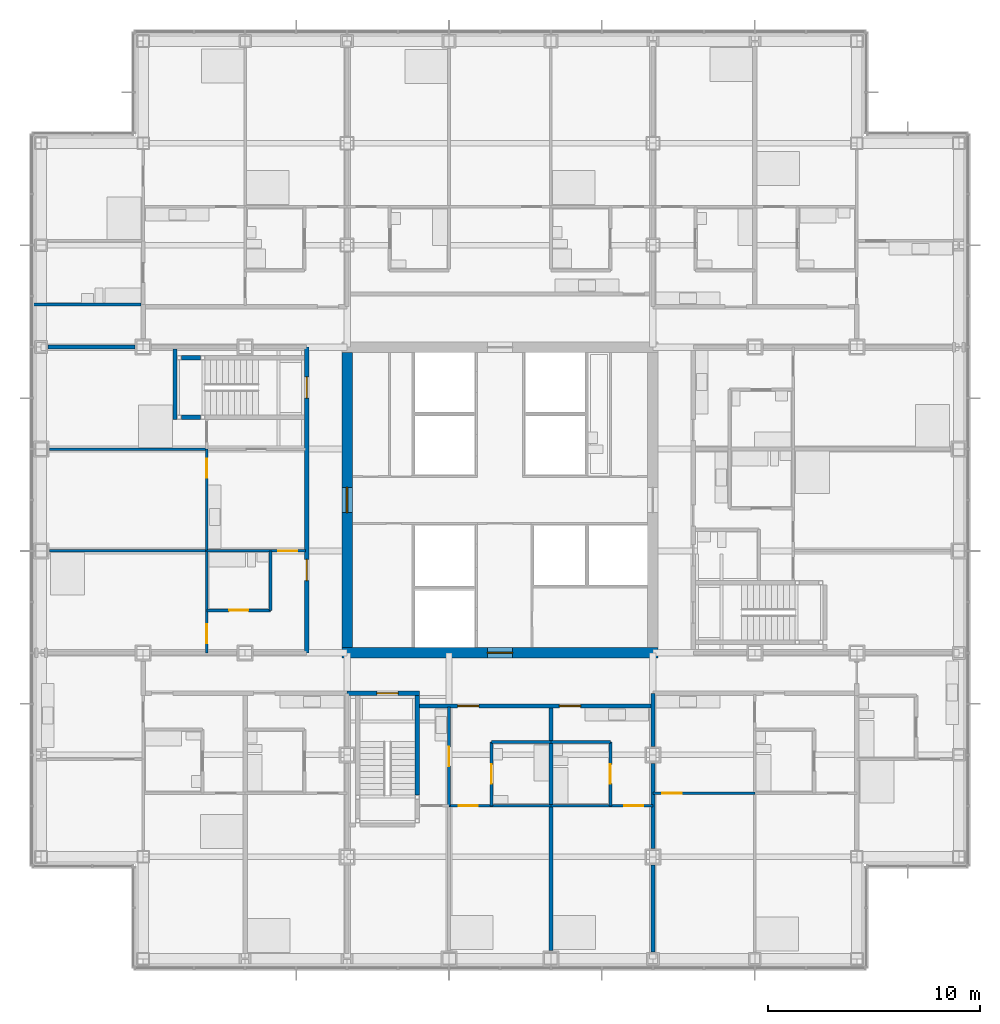
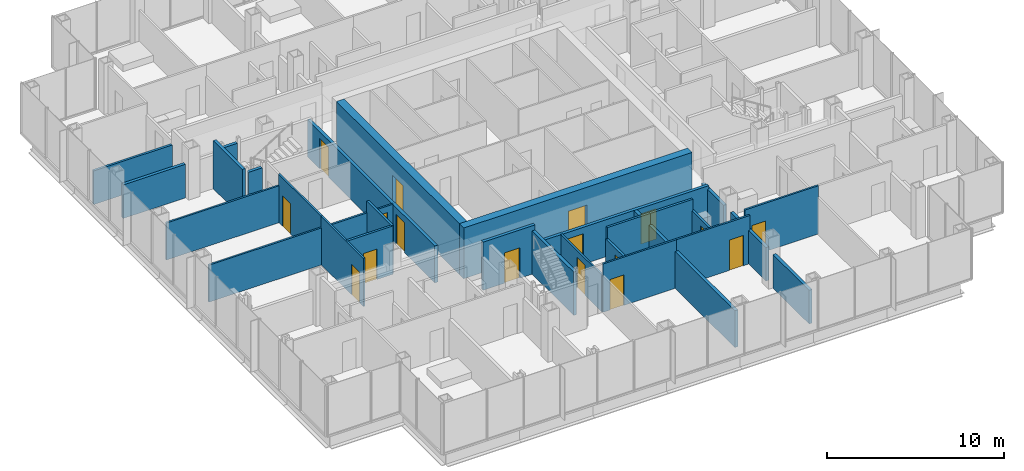
# One storey, part 14 of 21: 30 walls, 17 doors, 17 openings.
"""IFC4 building model written with IfcOpenShell, lengths in metres."""

from ifc_helpers import new_model, si_unit, direction, frame, frame_2d, origin, place, context, subcontext, project, spatial, rectangle, extrude, material, layer, layer_set, type_object, element, fill, save


model = new_model("IFC4")

# Units and contexts
model_context = context("Model", 3, precision=1e-05, world=origin(), true_north=direction((0.0, 1.0)))
body_context = subcontext(model_context, "Body", "Model", "MODEL_VIEW")
ifc_project = project(units=[si_unit("LENGTHUNIT", "METRE"), si_unit("AREAUNIT", "SQUARE_METRE"), si_unit("VOLUMEUNIT", "CUBIC_METRE"), si_unit("PLANEANGLEUNIT", "RADIAN"), si_unit("MASSUNIT", "GRAM", prefix="KILO")], contexts=[model_context])

# Site, building, storey
site_placement = place(None, origin())
site = spatial("IfcSite", under=ifc_project, at=site_placement, CompositionType="ELEMENT")
building_placement = place(site_placement, origin())
building = spatial("IfcBuilding", under=site, at=building_placement, Name="Kvirike Care Tower", CompositionType="ELEMENT")
storey_placement = place(building_placement, frame((0.0, 0.0, 41.0)))
storey = spatial("IfcBuildingStorey", under=building, at=storey_placement, Name="L10", CompositionType="ELEMENT", Elevation=41.0)

# Wall, opening, door
ifc_material_1 = material(Name="Moisture-resistant board partition", Category="gypsum")
ifc_layer_1 = layer(ifc_material_1, 0.14990234375)
ifc_layer_set_1 = layer_set([ifc_layer_1], Name="BATHROOM WALL 150")
wall_type_1 = type_object("IfcWallType", Name="BATHROOM WALL 150", PredefinedType="PARTITIONING", material=ifc_layer_set_1)
wall_1_placement = place(storey_placement, frame((7.800048828125, 30.800048828125, 0.0), z_axis=(0.0, 0.0, 1.0), x_axis=(1.0, 0.0, 0.0)))
wall_1 = element("IfcWall", 1, at=wall_1_placement, inside=storey, type_object=wall_type_1, Name="Bathroom Wall 150 L10", PredefinedType="PARTITIONING", context=body_context, shape_type="SweptSolid", body=[
    extrude(rectangle(XDim=3.0, YDim=0.14990234375, at=frame_2d((1.5, 0.0))), origin(), (0.0, 0.0, 1.0), 3.330078125),
])
opening_1_placement = place(wall_1_placement, frame((1.050048828125, 0.0, 0.0)))
opening_1 = element("IfcOpeningElement", 2, at=opening_1_placement, cuts=wall_1, Name="Opening 10-009", PredefinedType="OPENING", context=body_context, shape_type="SweptSolid", body=[
    extrude(rectangle(XDim=0.89990234375, YDim=2.10009765625, at=frame_2d((0.449951171875, 1.050048828125))), frame((0.0, 0.08544921875, 0.0), z_axis=(0.0, -1.0, 0.0), x_axis=(1.0, 0.0, 0.0)), (0.0, 0.0, 1.0), 0.1708984375),
])
ifc_material_2 = material(Name="Timber door set", Category="wood")
door_type_1 = type_object("IfcDoorType", Name="BATHROOM DOOR 900", OperationType="SINGLE_SWING_RIGHT", PredefinedType="DOOR", material=ifc_material_2)
door_1_placement = place(opening_1_placement, origin())
door_1 = element("IfcDoor", 3, at=door_1_placement, inside=storey, type_object=door_type_1, Name="Bathroom door", OperationType="SINGLE_SWING_RIGHT", OverallHeight=2.10009765625, OverallWidth=0.89990234375, PredefinedType="DOOR", context=body_context, shape_type="SweptSolid", body=[
    extrude(rectangle(XDim=0.89990234375, YDim=2.10009765625, at=frame_2d((0.449951171875, 1.050048828125))), frame((0.0, 0.02197265625, 0.0), z_axis=(0.0, -1.0, 0.0), x_axis=(1.0, 0.0, 0.0)), (0.0, 0.0, 1.0), 0.0439453125),
])
fill(opening_1, door_1)

# Wall
wall_2_placement = place(storey_placement, frame((10.800048828125, 33.60009765625, 0.0), z_axis=(0.0, 0.0, 1.0), x_axis=(0.0, -1.0, 0.0)))
element("IfcWall", 4, at=wall_2_placement, inside=storey, type_object=wall_type_1, Name="Bathroom Wall 150 L10", PredefinedType="PARTITIONING", context=body_context, shape_type="SweptSolid", body=[
    extrude(rectangle(XDim=2.800048828125, YDim=0.14990234375, at=frame_2d((1.39990234375, 0.0))), origin(), (0.0, 0.0, 1.0), 3.330078125),
])

# Wall, opening, door
wall_3_placement = place(storey_placement, frame((21.199951171875, 21.60009765625, 0.0), z_axis=(0.0, 0.0, 1.0), x_axis=(0.0, 1.0, 0.0)))
wall_3 = element("IfcWall", 5, at=wall_3_placement, inside=storey, type_object=wall_type_1, Name="Bathroom Wall 150 L10", PredefinedType="PARTITIONING", context=body_context, shape_type="SweptSolid", body=[
    extrude(rectangle(XDim=3.0, YDim=0.14990234375, at=frame_2d((1.5, 0.0))), origin(), (0.0, 0.0, 1.0), 2.550048828125),
])
opening_2_placement = place(wall_3_placement, frame((1.050048828125, 0.0, 0.0)))
opening_2 = element("IfcOpeningElement", 6, at=opening_2_placement, cuts=wall_3, Name="Opening 10-025", PredefinedType="OPENING", context=body_context, shape_type="SweptSolid", body=[
    extrude(rectangle(XDim=0.89990234375, YDim=2.10009765625, at=frame_2d((0.449951171875, 1.050048828125))), frame((0.0, 0.08544921875, 0.0), z_axis=(0.0, -1.0, 0.0), x_axis=(1.0, 0.0, 0.0)), (0.0, 0.0, 1.0), 0.1708984375),
])
door_2_placement = place(opening_2_placement, frame((0.89990234375, 0.0, 0.0), z_axis=(0.0, 0.0, 1.0), x_axis=(-1.0, 0.0, 0.0)))
door_2 = element("IfcDoor", 7, at=door_2_placement, inside=storey, type_object=door_type_1, Name="Bathroom door", OperationType="SINGLE_SWING_RIGHT", OverallHeight=2.10009765625, OverallWidth=0.89990234375, PredefinedType="DOOR", context=body_context, shape_type="SweptSolid", body=[
    extrude(rectangle(XDim=0.89990234375, YDim=2.10009765625, at=frame_2d((0.449951171875, 1.050048828125))), frame((0.0, 0.02197265625, 0.0), z_axis=(0.0, -1.0, 0.0), x_axis=(1.0, 0.0, 0.0)), (0.0, 0.0, 1.0), 0.0439453125),
])
fill(opening_2, door_2)

# Wall
wall_4_placement = place(storey_placement, frame((21.199951171875, 24.60009765625, 0.0), z_axis=(0.0, 0.0, 1.0), x_axis=(1.0, 0.0, 0.0)))
element("IfcWall", 8, at=wall_4_placement, inside=storey, type_object=wall_type_1, Name="Bathroom Wall 150 L10", PredefinedType="PARTITIONING", context=body_context, shape_type="SweptSolid", body=[
    extrude(rectangle(XDim=2.800048828125, YDim=0.14990234375, at=frame_2d((1.39990234375, 0.0))), origin(), (0.0, 0.0, 1.0), 3.330078125),
])

# Wall, opening, door
wall_5_placement = place(storey_placement, frame((26.800048828125, 21.60009765625, 0.0), z_axis=(0.0, 0.0, 1.0), x_axis=(0.0, 1.0, 0.0)))
wall_5 = element("IfcWall", 9, at=wall_5_placement, inside=storey, type_object=wall_type_1, Name="Bathroom Wall 150 L10", PredefinedType="PARTITIONING", context=body_context, shape_type="SweptSolid", body=[
    extrude(rectangle(XDim=3.0, YDim=0.14990234375, at=frame_2d((1.5, 0.0))), origin(), (0.0, 0.0, 1.0), 2.550048828125),
])
opening_3_placement = place(wall_5_placement, frame((1.050048828125, 0.0, 0.0)))
opening_3 = element("IfcOpeningElement", 10, at=opening_3_placement, cuts=wall_5, Name="Opening 10-029", PredefinedType="OPENING", context=body_context, shape_type="SweptSolid", body=[
    extrude(rectangle(XDim=0.89990234375, YDim=2.10009765625, at=frame_2d((0.449951171875, 1.050048828125))), frame((0.0, 0.08544921875, 0.0), z_axis=(0.0, -1.0, 0.0), x_axis=(1.0, 0.0, 0.0)), (0.0, 0.0, 1.0), 0.1708984375),
])
door_3_placement = place(opening_3_placement, origin())
door_3 = element("IfcDoor", 11, at=door_3_placement, inside=storey, type_object=door_type_1, Name="Bathroom door", OperationType="SINGLE_SWING_LEFT", OverallHeight=2.10009765625, OverallWidth=0.89990234375, PredefinedType="DOOR", context=body_context, shape_type="SweptSolid", body=[
    extrude(rectangle(XDim=0.89990234375, YDim=2.10009765625, at=frame_2d((0.449951171875, 1.050048828125))), frame((0.0, 0.02197265625, 0.0), z_axis=(0.0, -1.0, 0.0), x_axis=(1.0, 0.0, 0.0)), (0.0, 0.0, 1.0), 0.0439453125),
])
fill(opening_3, door_3)

# Walls
wall_6_placement = place(storey_placement, frame((24.0, 24.60009765625, 0.0), z_axis=(0.0, 0.0, 1.0), x_axis=(1.0, 0.0, 0.0)))
element("IfcWall", 12, at=wall_6_placement, inside=storey, type_object=wall_type_1, Name="Bathroom Wall 150 L10", PredefinedType="PARTITIONING", context=body_context, shape_type="SweptSolid", body=[
    extrude(rectangle(XDim=2.800048828125, YDim=0.14990234375, at=frame_2d((1.39990234375, 0.0))), origin(), (0.0, 0.0, 1.0), 3.330078125),
])
wall_7_placement = place(storey_placement, frame((4.699951171875, 45.199951171875, 0.0), z_axis=(0.0, 0.0, 1.0), x_axis=(-1.0, 0.0, 0.0)))
element("IfcWall", 13, at=wall_7_placement, inside=storey, type_object=wall_type_1, Name="Bathroom Wall 150 L10", PredefinedType="PARTITIONING", context=body_context, shape_type="SweptSolid", body=[
    extrude(rectangle(XDim=5.135009765625, YDim=0.14990234375, at=frame_2d((2.5673828125, 0.0))), origin(), (0.0, 0.0, 1.0), 2.320068359375),
])

# Wall, opening, door
ifc_material_3 = material(Name="Concrete C60/75", Category="concrete")
ifc_layer_2 = layer(ifc_material_3, 0.5)
ifc_layer_set_2 = layer_set([ifc_layer_2], Name="CORE WALL 500 C60-75")
wall_type_2 = type_object("IfcWallType", Name="CORE WALL 500 C60-75", PredefinedType="SHEAR", material=ifc_layer_set_2)
wall_8_placement = place(storey_placement, frame((14.14990234375, 28.800048828125, -0.169921875), z_axis=(0.0, 0.0, 1.0), x_axis=(1.0, 0.0, 0.0)))
wall_8 = element("IfcWall", 14, at=wall_8_placement, inside=storey, type_object=wall_type_2, Name="Core wall S L10", PredefinedType="SHEAR", context=body_context, shape_type="SweptSolid", body=[
    extrude(rectangle(XDim=14.900146484375, YDim=0.5, at=frame_2d((7.4501953125, 0.0))), origin(), (0.0, 0.0, 1.0), 3.5),
])
opening_4_placement = place(wall_8_placement, frame((6.85009765625, 0.0, 0.169921875)))
opening_4 = element("IfcOpeningElement", 15, at=opening_4_placement, cuts=wall_8, Name="Opening 10-075", PredefinedType="OPENING", context=body_context, shape_type="SweptSolid", body=[
    extrude(rectangle(XDim=1.199951171875, YDim=2.10009765625, at=frame_2d((0.60009765625, 1.050048828125))), frame((0.0, 0.260498046875, 0.0), z_axis=(0.0, -1.0, 0.0), x_axis=(1.0, 0.0, 0.0)), (0.0, 0.0, 1.0), 0.52099609375),
])
ifc_material_4 = material(Name="Timber door set", Category="wood")
door_type_2 = type_object("IfcDoorType", Name="CORE DOOR 1200", OperationType="SINGLE_SWING_LEFT", PredefinedType="DOOR", material=ifc_material_4)
door_4_placement = place(opening_4_placement, origin())
door_4 = element("IfcDoor", 16, at=door_4_placement, inside=storey, type_object=door_type_2, Name="Core door S L10", OperationType="SINGLE_SWING_LEFT", OverallHeight=2.10009765625, OverallWidth=1.199951171875, PredefinedType="DOOR", context=body_context, shape_type="SweptSolid", body=[
    extrude(rectangle(XDim=1.199951171875, YDim=2.10009765625, at=frame_2d((0.60009765625, 1.050048828125))), frame((0.0, 0.02685546875, 0.0), z_axis=(0.0, -1.0, 0.0), x_axis=(1.0, 0.0, 0.0)), (0.0, 0.0, 1.0), 0.053955078125),
])
fill(opening_4, door_4)

wall_9_placement = place(storey_placement, frame((14.39990234375, 42.949951171875, -0.169921875), z_axis=(0.0, 0.0, 1.0), x_axis=(0.0, -1.0, 0.0)))
wall_9 = element("IfcWall", 17, at=wall_9_placement, inside=storey, type_object=wall_type_2, Name="Core wall W L10", PredefinedType="SHEAR", context=body_context, shape_type="SweptSolid", body=[
    extrude(rectangle(XDim=13.89990234375, YDim=0.5, at=frame_2d((6.949951171875, 0.0))), origin(), (0.0, 0.0, 1.0), 3.5),
])
opening_5_placement = place(wall_9_placement, frame((6.35009765625, 0.0, 0.169921875)))
opening_5 = element("IfcOpeningElement", 18, at=opening_5_placement, cuts=wall_9, Name="Opening 10-076", PredefinedType="OPENING", context=body_context, shape_type="SweptSolid", body=[
    extrude(rectangle(XDim=1.199951171875, YDim=2.10009765625, at=frame_2d((0.60009765625, 1.050048828125))), frame((0.0, 0.260498046875, 0.0), z_axis=(0.0, -1.0, 0.0), x_axis=(1.0, 0.0, 0.0)), (0.0, 0.0, 1.0), 0.52099609375),
])
door_5_placement = place(opening_5_placement, origin())
door_5 = element("IfcDoor", 19, at=door_5_placement, inside=storey, type_object=door_type_2, Name="Core door W L10", OperationType="SINGLE_SWING_LEFT", OverallHeight=2.10009765625, OverallWidth=1.199951171875, PredefinedType="DOOR", context=body_context, shape_type="SweptSolid", body=[
    extrude(rectangle(XDim=1.199951171875, YDim=2.10009765625, at=frame_2d((0.60009765625, 1.050048828125))), frame((0.0, 0.02685546875, 0.0), z_axis=(0.0, -1.0, 0.0), x_axis=(1.0, 0.0, 0.0)), (0.0, 0.0, 1.0), 0.053955078125),
])
fill(opening_5, door_5)

# Wall, openings, doors
ifc_material_5 = material(Name="Plasterboard corridor wall", Category="gypsum")
ifc_layer_3 = layer(ifc_material_5, 0.199951171875)
ifc_layer_set_3 = layer_set([ifc_layer_3], Name="CORRIDOR WALL 200")
wall_type_3 = type_object("IfcWallType", Name="CORRIDOR WALL 200", PredefinedType="PARTITIONING", material=ifc_layer_set_3)
wall_10_placement = place(storey_placement, frame((12.5, 43.199951171875, 0.0), z_axis=(0.0, 0.0, 1.0), x_axis=(0.0, -1.0, 0.0)))
wall_10 = element("IfcWall", 20, at=wall_10_placement, inside=storey, type_object=wall_type_3, Name="Corridor Wall 200 L10", PredefinedType="PARTITIONING", context=body_context, shape_type="SweptSolid", body=[
    extrude(rectangle(XDim=14.39990234375, YDim=0.199951171875, at=frame_2d((7.199951171875, 0.0))), origin(), (0.0, 0.0, 1.0), 2.550048828125),
])
opening_6_placement = place(wall_10_placement, frame((1.39990234375, 0.0, 0.0)))
opening_6 = element("IfcOpeningElement", 21, at=opening_6_placement, cuts=wall_10, Name="Opening 10-015", PredefinedType="OPENING", context=body_context, shape_type="SweptSolid", body=[
    extrude(rectangle(XDim=1.0, YDim=2.10009765625, at=frame_2d((0.5, 1.050048828125))), frame((0.0, 0.110595703125, 0.0), z_axis=(0.0, -1.0, 0.0), x_axis=(1.0, 0.0, 0.0)), (0.0, 0.0, 1.0), 0.220947265625),
])
opening_7_placement = place(wall_10_placement, frame((10.0, 0.0, 0.0)))
opening_7 = element("IfcOpeningElement", 22, at=opening_7_placement, cuts=wall_10, Name="Opening 10-016", PredefinedType="OPENING", context=body_context, shape_type="SweptSolid", body=[
    extrude(rectangle(XDim=1.0, YDim=2.10009765625, at=frame_2d((0.5, 1.050048828125))), frame((0.0, 0.110595703125, 0.0), z_axis=(0.0, -1.0, 0.0), x_axis=(1.0, 0.0, 0.0)), (0.0, 0.0, 1.0), 0.220947265625),
])
ifc_material_6 = material(Name="Timber door set", Category="wood")
door_type_3 = type_object("IfcDoorType", Name="FLAT ENTRANCE DOOR 1000", OperationType="SINGLE_SWING_LEFT", PredefinedType="DOOR", material=ifc_material_6)
door_6_placement = place(opening_7_placement, frame((1.0, 0.0, 0.0), z_axis=(0.0, 0.0, 1.0), x_axis=(-1.0, 0.0, 0.0)))
door_6 = element("IfcDoor", 23, at=door_6_placement, inside=storey, type_object=door_type_3, Name="Two-bedroom apartment entrance", OperationType="SINGLE_SWING_LEFT", OverallHeight=2.10009765625, OverallWidth=1.0, PredefinedType="DOOR", context=body_context, shape_type="SweptSolid", body=[
    extrude(rectangle(XDim=1.0, YDim=2.10009765625, at=frame_2d((0.5, 1.050048828125))), frame((0.0, 0.02685546875, 0.0), z_axis=(0.0, -1.0, 0.0), x_axis=(1.0, 0.0, 0.0)), (0.0, 0.0, 1.0), 0.053955078125),
])
fill(opening_7, door_6)
ifc_material_7 = material(Name="Timber door set", Category="wood")
door_type_4 = type_object("IfcDoorType", Name="STAIR DOOR 1000", OperationType="SINGLE_SWING_LEFT", PredefinedType="DOOR", material=ifc_material_7)
door_7_placement = place(opening_6_placement, frame((1.0, 0.0, 0.0), z_axis=(0.0, 0.0, 1.0), x_axis=(-1.0, 0.0, 0.0)))
door_7 = element("IfcDoor", 24, at=door_7_placement, inside=storey, type_object=door_type_4, Name="Stair 1 door", OperationType="SINGLE_SWING_RIGHT", OverallHeight=2.10009765625, OverallWidth=1.0, PredefinedType="DOOR", context=body_context, shape_type="SweptSolid", body=[
    extrude(rectangle(XDim=1.0, YDim=2.10009765625, at=frame_2d((0.5, 1.050048828125))), frame((0.0, 0.031982421875, 0.0), z_axis=(0.0, -1.0, 0.0), x_axis=(1.0, 0.0, 0.0)), (0.0, 0.0, 1.0), 0.06396484375),
])
fill(opening_6, door_7)

wall_11_placement = place(storey_placement, frame((17.800048828125, 26.300048828125, 0.0), z_axis=(0.0, 0.0, 1.0), x_axis=(1.0, 0.0, 0.0)))
wall_11 = element("IfcWall", 25, at=wall_11_placement, inside=storey, type_object=wall_type_3, Name="Corridor Wall 200 L10", PredefinedType="PARTITIONING", context=body_context, shape_type="SweptSolid", body=[
    extrude(rectangle(XDim=11.0, YDim=0.199951171875, at=frame_2d((5.5, 0.0))), origin(), (0.0, 0.0, 1.0), 2.550048828125),
])
opening_8_placement = place(wall_11_placement, frame((1.800048828125, 0.0, 0.0)))
opening_8 = element("IfcOpeningElement", 26, at=opening_8_placement, cuts=wall_11, Name="Opening 10-031", PredefinedType="OPENING", context=body_context, shape_type="SweptSolid", body=[
    extrude(rectangle(XDim=1.0, YDim=2.10009765625, at=frame_2d((0.5, 1.050048828125))), frame((0.0, 0.110595703125, 0.0), z_axis=(0.0, -1.0, 0.0), x_axis=(1.0, 0.0, 0.0)), (0.0, 0.0, 1.0), 0.220947265625),
])
opening_9_placement = place(wall_11_placement, frame((6.60009765625, 0.0, 0.0)))
opening_9 = element("IfcOpeningElement", 27, at=opening_9_placement, cuts=wall_11, Name="Opening 10-032", PredefinedType="OPENING", context=body_context, shape_type="SweptSolid", body=[
    extrude(rectangle(XDim=1.0, YDim=2.10009765625, at=frame_2d((0.5, 1.050048828125))), frame((0.0, 0.110595703125, 0.0), z_axis=(0.0, -1.0, 0.0), x_axis=(1.0, 0.0, 0.0)), (0.0, 0.0, 1.0), 0.220947265625),
])
door_8_placement = place(opening_8_placement, frame((1.0, 0.0, 0.0), z_axis=(0.0, 0.0, 1.0), x_axis=(-1.0, 0.0, 0.0)))
door_8 = element("IfcDoor", 28, at=door_8_placement, inside=storey, type_object=door_type_3, Name="One-bedroom apartment entrance", OperationType="SINGLE_SWING_LEFT", OverallHeight=2.10009765625, OverallWidth=1.0, PredefinedType="DOOR", context=body_context, shape_type="SweptSolid", body=[
    extrude(rectangle(XDim=1.0, YDim=2.10009765625, at=frame_2d((0.5, 1.050048828125))), frame((0.0, 0.02685546875, 0.0), z_axis=(0.0, -1.0, 0.0), x_axis=(1.0, 0.0, 0.0)), (0.0, 0.0, 1.0), 0.053955078125),
])
fill(opening_8, door_8)
door_9_placement = place(opening_9_placement, frame((1.0, 0.0, 0.0), z_axis=(0.0, 0.0, 1.0), x_axis=(-1.0, 0.0, 0.0)))
door_9 = element("IfcDoor", 29, at=door_9_placement, inside=storey, type_object=door_type_3, Name="Studio apartment entrance", OperationType="SINGLE_SWING_RIGHT", OverallHeight=2.10009765625, OverallWidth=1.0, PredefinedType="DOOR", context=body_context, shape_type="SweptSolid", body=[
    extrude(rectangle(XDim=1.0, YDim=2.10009765625, at=frame_2d((0.5, 1.050048828125))), frame((0.0, 0.02685546875, 0.0), z_axis=(0.0, -1.0, 0.0), x_axis=(1.0, 0.0, 0.0)), (0.0, 0.0, 1.0), 0.053955078125),
])
fill(opening_9, door_9)

# Wall, opening, door
ifc_material_8 = material(Name="Plasterboard partition", Category="gypsum")
ifc_layer_4 = layer(ifc_material_8, 0.1201171875)
ifc_layer_set_4 = layer_set([ifc_layer_4], Name="PARTITION 120")
wall_type_4 = type_object("IfcWallType", Name="PARTITION 120", PredefinedType="PARTITIONING", material=ifc_layer_set_4)
wall_12_placement = place(storey_placement, frame((7.800048828125, 33.60009765625, 0.0), z_axis=(0.0, 0.0, 1.0), x_axis=(1.0, 0.0, 0.0)))
wall_12 = element("IfcWall", 30, at=wall_12_placement, inside=storey, type_object=wall_type_4, Name="Partition 120 L10", PredefinedType="PARTITIONING", context=body_context, shape_type="SweptSolid", body=[
    extrude(rectangle(XDim=4.64990234375, YDim=0.1201171875, at=frame_2d((2.324951171875, 0.0))), origin(), (0.0, 0.0, 1.0), 2.550048828125),
])
opening_10_placement = place(wall_12_placement, frame((3.35009765625, 0.0, 0.0)))
opening_10 = element("IfcOpeningElement", 31, at=opening_10_placement, cuts=wall_12, Name="Opening 10-011", PredefinedType="OPENING", context=body_context, shape_type="SweptSolid", body=[
    extrude(rectangle(XDim=0.89990234375, YDim=2.10009765625, at=frame_2d((0.449951171875, 1.050048828125))), frame((0.0, 0.070556640625, 0.0), z_axis=(0.0, -1.0, 0.0), x_axis=(1.0, 0.0, 0.0)), (0.0, 0.0, 1.0), 0.14111328125),
])
ifc_material_9 = material(Name="Timber door set", Category="wood")
door_type_5 = type_object("IfcDoorType", Name="INTERNAL DOOR 900", OperationType="SINGLE_SWING_LEFT", PredefinedType="DOOR", material=ifc_material_9)
door_10_placement = place(opening_10_placement, origin())
door_10 = element("IfcDoor", 32, at=door_10_placement, inside=storey, type_object=door_type_5, Name="Hall door", OperationType="SINGLE_SWING_LEFT", OverallHeight=2.10009765625, OverallWidth=0.89990234375, PredefinedType="DOOR", context=body_context, shape_type="SweptSolid", body=[
    extrude(rectangle(XDim=0.89990234375, YDim=2.10009765625, at=frame_2d((0.449951171875, 1.050048828125))), frame((0.0, 0.02197265625, 0.0), z_axis=(0.0, -1.0, 0.0), x_axis=(1.0, 0.0, 0.0)), (0.0, 0.0, 1.0), 0.0439453125),
])
fill(opening_10, door_10)

wall_13_placement = place(storey_placement, frame((7.800048828125, 38.39990234375, 0.0), z_axis=(0.0, 0.0, 1.0), x_axis=(0.0, -1.0, 0.0)))
wall_13 = element("IfcWall", 33, at=wall_13_placement, inside=storey, type_object=wall_type_4, Name="Partition 120 L10", PredefinedType="PARTITIONING", context=body_context, shape_type="SweptSolid", body=[
    extrude(rectangle(XDim=4.7998046875, YDim=0.1201171875, at=frame_2d((2.39990234375, 0.0))), origin(), (0.0, 0.0, 1.0), 3.330078125),
])
opening_11_placement = place(wall_13_placement, frame((0.449951171875, 0.0, 0.0)))
opening_11 = element("IfcOpeningElement", 34, at=opening_11_placement, cuts=wall_13, Name="Opening 10-013", PredefinedType="OPENING", context=body_context, shape_type="SweptSolid", body=[
    extrude(rectangle(XDim=0.89990234375, YDim=2.10009765625, at=frame_2d((0.449951171875, 1.050048828125))), frame((0.0, 0.070556640625, 0.0), z_axis=(0.0, -1.0, 0.0), x_axis=(1.0, 0.0, 0.0)), (0.0, 0.0, 1.0), 0.14111328125),
])
door_11_placement = place(opening_11_placement, origin())
door_11 = element("IfcDoor", 35, at=door_11_placement, inside=storey, type_object=door_type_5, Name="Apartment living room door", OperationType="SINGLE_SWING_RIGHT", OverallHeight=2.10009765625, OverallWidth=0.89990234375, PredefinedType="DOOR", context=body_context, shape_type="SweptSolid", body=[
    extrude(rectangle(XDim=0.89990234375, YDim=2.10009765625, at=frame_2d((0.449951171875, 1.050048828125))), frame((0.0, 0.02197265625, 0.0), z_axis=(0.0, -1.0, 0.0), x_axis=(1.0, 0.0, 0.0)), (0.0, 0.0, 1.0), 0.0439453125),
])
fill(opening_11, door_11)

wall_14_placement = place(storey_placement, frame((7.800048828125, 33.60009765625, 0.0), z_axis=(0.0, 0.0, 1.0), x_axis=(0.0, -1.0, 0.0)))
wall_14 = element("IfcWall", 36, at=wall_14_placement, inside=storey, type_object=wall_type_4, Name="Partition 120 L10", PredefinedType="PARTITIONING", context=body_context, shape_type="SweptSolid", body=[
    extrude(rectangle(XDim=4.800048828125, YDim=0.1201171875, at=frame_2d((2.39990234375, 0.0))), origin(), (0.0, 0.0, 1.0), 3.330078125),
])
opening_12_placement = place(wall_14_placement, frame((3.449951171875, 0.0, 0.0)))
opening_12 = element("IfcOpeningElement", 37, at=opening_12_placement, cuts=wall_14, Name="Opening 10-014", PredefinedType="OPENING", context=body_context, shape_type="SweptSolid", body=[
    extrude(rectangle(XDim=0.89990234375, YDim=2.10009765625, at=frame_2d((0.449951171875, 1.050048828125))), frame((0.0, 0.070556640625, 0.0), z_axis=(0.0, -1.0, 0.0), x_axis=(1.0, 0.0, 0.0)), (0.0, 0.0, 1.0), 0.14111328125),
])
door_12_placement = place(opening_12_placement, origin())
door_12 = element("IfcDoor", 38, at=door_12_placement, inside=storey, type_object=door_type_5, Name="Apartment bedroom door", OperationType="SINGLE_SWING_LEFT", OverallHeight=2.10009765625, OverallWidth=0.89990234375, PredefinedType="DOOR", context=body_context, shape_type="SweptSolid", body=[
    extrude(rectangle(XDim=0.89990234375, YDim=2.10009765625, at=frame_2d((0.449951171875, 1.050048828125))), frame((0.0, 0.02197265625, 0.0), z_axis=(0.0, -1.0, 0.0), x_axis=(1.0, 0.0, 0.0)), (0.0, 0.0, 1.0), 0.0439453125),
])
fill(opening_12, door_12)

# Walls
for number, where, z_axis, x_axis, name in (
    (39, (0.39501953125, 38.39990234375, 0.0), (0.0, 0.0, 1.0), (1.0, 0.0, 0.0), "Partition 120 L10"),
    (40, (0.39501953125, 33.60009765625, 0.0), (0.0, 0.0, 1.0), (1.0, 0.0, 0.0), "Partition 120 L10"),
):
    element("IfcWall", number, at=place(storey_placement, frame(where, z_axis=z_axis, x_axis=x_axis)), inside=storey, type_object=wall_type_4, Name=name, PredefinedType="PARTITIONING", context=body_context, shape_type="SweptSolid", body=[
        extrude(rectangle(XDim=7.405029296875, YDim=0.1201171875, at=frame_2d((3.70263671875, 0.0))), origin(), (0.0, 0.0, 1.0), 2.550048828125),
    ])

# Wall, opening, door
wall_15_placement = place(storey_placement, frame((19.199951171875, 21.60009765625, 0.0), z_axis=(0.0, 0.0, 1.0), x_axis=(0.0, 1.0, 0.0)))
wall_15 = element("IfcWall", 41, at=wall_15_placement, inside=storey, type_object=wall_type_4, Name="Partition 120 L10", PredefinedType="PARTITIONING", context=body_context, shape_type="SweptSolid", body=[
    extrude(rectangle(XDim=4.64990234375, YDim=0.1201171875, at=frame_2d((2.324951171875, 0.0))), origin(), (0.0, 0.0, 1.0), 2.550048828125),
])
opening_13_placement = place(wall_15_placement, frame((1.875, 0.0, 0.0)))
opening_13 = element("IfcOpeningElement", 42, at=opening_13_placement, cuts=wall_15, Name="Opening 10-026", PredefinedType="OPENING", context=body_context, shape_type="SweptSolid", body=[
    extrude(rectangle(XDim=0.89990234375, YDim=2.10009765625, at=frame_2d((0.449951171875, 1.050048828125))), frame((0.0, 0.070556640625, 0.0), z_axis=(0.0, -1.0, 0.0), x_axis=(1.0, 0.0, 0.0)), (0.0, 0.0, 1.0), 0.14111328125),
])
door_13_placement = place(opening_13_placement, origin())
door_13 = element("IfcDoor", 43, at=door_13_placement, inside=storey, type_object=door_type_5, Name="Hall door", OperationType="SINGLE_SWING_RIGHT", OverallHeight=2.10009765625, OverallWidth=0.89990234375, PredefinedType="DOOR", context=body_context, shape_type="SweptSolid", body=[
    extrude(rectangle(XDim=0.89990234375, YDim=2.10009765625, at=frame_2d((0.449951171875, 1.050048828125))), frame((0.0, 0.02197265625, 0.0), z_axis=(0.0, -1.0, 0.0), x_axis=(1.0, 0.0, 0.0)), (0.0, 0.0, 1.0), 0.0439453125),
])
fill(opening_13, door_13)

wall_16_placement = place(storey_placement, frame((19.199951171875, 21.60009765625, 0.0), z_axis=(0.0, 0.0, 1.0), x_axis=(1.0, 0.0, 0.0)))
wall_16 = element("IfcWall", 44, at=wall_16_placement, inside=storey, type_object=wall_type_4, Name="Partition 120 L10", PredefinedType="PARTITIONING", context=body_context, shape_type="SweptSolid", body=[
    extrude(rectangle(XDim=4.800048828125, YDim=0.1201171875, at=frame_2d((2.39990234375, 0.0))), origin(), (0.0, 0.0, 1.0), 3.330078125),
])
opening_14_placement = place(wall_16_placement, frame((0.449951171875, 0.0, 0.0)))
opening_14 = element("IfcOpeningElement", 45, at=opening_14_placement, cuts=wall_16, Name="Opening 10-028", PredefinedType="OPENING", context=body_context, shape_type="SweptSolid", body=[
    extrude(rectangle(XDim=0.89990234375, YDim=2.10009765625, at=frame_2d((0.449951171875, 1.050048828125))), frame((0.0, 0.070556640625, 0.0), z_axis=(0.0, -1.0, 0.0), x_axis=(1.0, 0.0, 0.0)), (0.0, 0.0, 1.0), 0.14111328125),
])
door_14_placement = place(opening_14_placement, origin())
door_14 = element("IfcDoor", 46, at=door_14_placement, inside=storey, type_object=door_type_5, Name="Apartment bedroom door", OperationType="SINGLE_SWING_RIGHT", OverallHeight=2.10009765625, OverallWidth=0.89990234375, PredefinedType="DOOR", context=body_context, shape_type="SweptSolid", body=[
    extrude(rectangle(XDim=0.89990234375, YDim=2.10009765625, at=frame_2d((0.449951171875, 1.050048828125))), frame((0.0, 0.02197265625, 0.0), z_axis=(0.0, -1.0, 0.0), x_axis=(1.0, 0.0, 0.0)), (0.0, 0.0, 1.0), 0.0439453125),
])
fill(opening_14, door_14)

wall_17_placement = place(storey_placement, frame((24.0, 21.60009765625, 0.0), z_axis=(0.0, 0.0, 1.0), x_axis=(1.0, 0.0, 0.0)))
wall_17 = element("IfcWall", 47, at=wall_17_placement, inside=storey, type_object=wall_type_4, Name="Partition 120 L10", PredefinedType="PARTITIONING", context=body_context, shape_type="SweptSolid", body=[
    extrude(rectangle(XDim=4.800048828125, YDim=0.1201171875, at=frame_2d((2.39990234375, 0.0))), origin(), (0.0, 0.0, 1.0), 3.330078125),
])
opening_15_placement = place(wall_17_placement, frame((3.449951171875, 0.0, 0.0)))
opening_15 = element("IfcOpeningElement", 48, at=opening_15_placement, cuts=wall_17, Name="Opening 10-030", PredefinedType="OPENING", context=body_context, shape_type="SweptSolid", body=[
    extrude(rectangle(XDim=0.89990234375, YDim=2.10009765625, at=frame_2d((0.449951171875, 1.050048828125))), frame((0.0, 0.070556640625, 0.0), z_axis=(0.0, -1.0, 0.0), x_axis=(1.0, 0.0, 0.0)), (0.0, 0.0, 1.0), 0.14111328125),
])
door_15_placement = place(opening_15_placement, origin())
door_15 = element("IfcDoor", 49, at=door_15_placement, inside=storey, type_object=door_type_5, Name="Studio apartment living room door", OperationType="SINGLE_SWING_LEFT", OverallHeight=2.10009765625, OverallWidth=0.89990234375, PredefinedType="DOOR", context=body_context, shape_type="SweptSolid", body=[
    extrude(rectangle(XDim=0.89990234375, YDim=2.10009765625, at=frame_2d((0.449951171875, 1.050048828125))), frame((0.0, 0.02197265625, 0.0), z_axis=(0.0, -1.0, 0.0), x_axis=(1.0, 0.0, 0.0)), (0.0, 0.0, 1.0), 0.0439453125),
])
fill(opening_15, door_15)

wall_18_placement = place(storey_placement, frame((28.800048828125, 22.199951171875, 0.0), z_axis=(0.0, 0.0, 1.0), x_axis=(1.0, 0.0, 0.0)))
wall_18 = element("IfcWall", 50, at=wall_18_placement, inside=storey, type_object=wall_type_4, Name="Partition 120 L10", PredefinedType="PARTITIONING", context=body_context, shape_type="SweptSolid", body=[
    extrude(rectangle(XDim=4.800048828125, YDim=0.1201171875, at=frame_2d((2.39990234375, 0.0))), origin(), (0.0, 0.0, 1.0), 3.330078125),
])
opening_16_placement = place(wall_18_placement, frame((0.449951171875, 0.0, 0.0)))
opening_16 = element("IfcOpeningElement", 51, at=opening_16_placement, cuts=wall_18, Name="Opening 10-041", PredefinedType="OPENING", context=body_context, shape_type="SweptSolid", body=[
    extrude(rectangle(XDim=0.89990234375, YDim=2.10009765625, at=frame_2d((0.449951171875, 1.050048828125))), frame((0.0, 0.070556640625, 0.0), z_axis=(0.0, -1.0, 0.0), x_axis=(1.0, 0.0, 0.0)), (0.0, 0.0, 1.0), 0.14111328125),
])
door_16_placement = place(opening_16_placement, origin())
door_16 = element("IfcDoor", 52, at=door_16_placement, inside=storey, type_object=door_type_5, Name="Apartment living room door", OperationType="SINGLE_SWING_RIGHT", OverallHeight=2.10009765625, OverallWidth=0.89990234375, PredefinedType="DOOR", context=body_context, shape_type="SweptSolid", body=[
    extrude(rectangle(XDim=0.89990234375, YDim=2.10009765625, at=frame_2d((0.449951171875, 1.050048828125))), frame((0.0, 0.02197265625, 0.0), z_axis=(0.0, -1.0, 0.0), x_axis=(1.0, 0.0, 0.0)), (0.0, 0.0, 1.0), 0.0439453125),
])
fill(opening_16, door_16)

# Walls
ifc_material_10 = material(Name="Plasterboard party wall", Category="gypsum")
ifc_layer_5 = layer(ifc_material_10, 0.199951171875)
ifc_layer_set_5 = layer_set([ifc_layer_5], Name="PARTY WALL 200")
wall_type_5 = type_object("IfcWallType", Name="PARTY WALL 200", PredefinedType="PARTITIONING", material=ifc_layer_set_5)
wall_19_placement = place(storey_placement, frame((24.0, 14.794921875, 0.0), z_axis=(0.0, 0.0, 1.0), x_axis=(0.0, 1.0, 0.0)))
element("IfcWall", 53, at=wall_19_placement, inside=storey, type_object=wall_type_5, Name="Party Wall 200 L10", PredefinedType="PARTITIONING", context=body_context, shape_type="SweptSolid", body=[
    extrude(rectangle(XDim=11.405029296875, YDim=0.199951171875, at=frame_2d((5.70263671875, 0.0))), origin(), (0.0, 0.0, 1.0), 2.550048828125),
])
for number, where, z_axis, x_axis, name in (
    (54, (4.405029296875, 43.199951171875, 0.0), (0.0, 0.0, 1.0), (-1.0, 0.0, 0.0), "Party Wall 200 L10"),
    (55, (28.800048828125, 14.719970703125, 0.0), (0.0, 0.0, 1.0), (0.0, 1.0, 0.0), "Party Wall 200 L10"),
):
    element("IfcWall", number, at=place(storey_placement, frame(where, z_axis=z_axis, x_axis=x_axis)), inside=storey, type_object=wall_type_5, Name=name, PredefinedType="PARTITIONING", context=body_context, shape_type="SweptSolid", body=[
        extrude(rectangle(XDim=4.0849609375, YDim=0.199951171875, at=frame_2d((2.04248046875, 0.0))), origin(), (0.0, 0.0, 1.0), 2.320068359375),
    ])
wall_20_placement = place(storey_placement, frame((28.800048828125, 19.594970703125, 0.0), z_axis=(0.0, 0.0, 1.0), x_axis=(0.0, 1.0, 0.0)))
element("IfcWall", 56, at=wall_20_placement, inside=storey, type_object=wall_type_5, Name="Party Wall 200 L10", PredefinedType="PARTITIONING", context=body_context, shape_type="SweptSolid", body=[
    extrude(rectangle(XDim=4.010009765625, YDim=0.199951171875, at=frame_2d((2.0048828125, 0.0))), origin(), (0.0, 0.0, 1.0), 2.320068359375),
])
wall_21_placement = place(storey_placement, frame((28.800048828125, 24.39501953125, 0.0), z_axis=(0.0, 0.0, 1.0), x_axis=(0.0, 1.0, 0.0)))
element("IfcWall", 57, at=wall_21_placement, inside=storey, type_object=wall_type_5, Name="Party Wall 200 L10", PredefinedType="PARTITIONING", context=body_context, shape_type="SweptSolid", body=[
    extrude(rectangle(XDim=2.5048828125, YDim=0.199951171875, at=frame_2d((1.25244140625, 0.0))), origin(), (0.0, 0.0, 1.0), 2.320068359375),
])
ifc_material_11 = material(Name="Concrete C40/50", Category="concrete")
ifc_layer_6 = layer(ifc_material_11, 0.199951171875)
ifc_layer_set_6 = layer_set([ifc_layer_6], Name="STAIR WALL 200")
wall_type_6 = type_object("IfcWallType", Name="STAIR WALL 200", PredefinedType="SOLIDWALL", material=ifc_layer_set_6)
for number, where, z_axis, x_axis, name in (
    (58, (6.60009765625, 42.699951171875, 0.0), (0.0, 0.0, 1.0), (1.0, 0.0, 0.0), "Stair Wall 200 L10"),
    (59, (6.60009765625, 39.89990234375, 0.0), (0.0, 0.0, 1.0), (1.0, 0.0, 0.0), "Stair Wall 200 L10"),
):
    element("IfcWall", number, at=place(storey_placement, frame(where, z_axis=z_axis, x_axis=x_axis)), inside=storey, type_object=wall_type_6, Name=name, PredefinedType="SOLIDWALL", context=body_context, shape_type="SweptSolid", body=[
        extrude(rectangle(XDim=0.89990234375, YDim=0.199951171875, at=frame_2d((0.449951171875, 0.0))), origin(), (0.0, 0.0, 1.0), 2.989990234375),
    ])
wall_22_placement = place(storey_placement, frame((6.300048828125, 43.10009765625, 0.0), z_axis=(0.0, 0.0, 1.0), x_axis=(0.0, -1.0, 0.0)))
element("IfcWall", 60, at=wall_22_placement, inside=storey, type_object=wall_type_6, Name="Stair Wall 200 L10", PredefinedType="SOLIDWALL", context=body_context, shape_type="SweptSolid", body=[
    extrude(rectangle(XDim=3.300048828125, YDim=0.199951171875, at=frame_2d((1.64990234375, 0.0))), origin(), (0.0, 0.0, 1.0), 3.330078125),
])
wall_23_placement = place(storey_placement, frame((17.699951171875, 22.10009765625, 0.0), z_axis=(0.0, 0.0, 1.0), x_axis=(0.0, 1.0, 0.0)))
element("IfcWall", 61, at=wall_23_placement, inside=storey, type_object=wall_type_6, Name="Stair Wall 200 L10", PredefinedType="SOLIDWALL", context=body_context, shape_type="SweptSolid", body=[
    extrude(rectangle(XDim=4.699951171875, YDim=0.199951171875, at=frame_2d((2.35009765625, 0.0))), origin(), (0.0, 0.0, 1.0), 2.989990234375),
])

# Wall, opening, door
wall_24_placement = place(storey_placement, frame((14.39990234375, 26.89990234375, 0.0), z_axis=(0.0, 0.0, 1.0), x_axis=(1.0, 0.0, 0.0)))
wall_24 = element("IfcWall", 62, at=wall_24_placement, inside=storey, type_object=wall_type_6, Name="Stair Wall 200 L10", PredefinedType="SOLIDWALL", context=body_context, shape_type="SweptSolid", body=[
    extrude(rectangle(XDim=3.400146484375, YDim=0.199951171875, at=frame_2d((1.7001953125, 0.0))), origin(), (0.0, 0.0, 1.0), 3.330078125),
])
opening_17_placement = place(wall_24_placement, frame((1.39990234375, 0.0, 0.0)))
opening_17 = element("IfcOpeningElement", 63, at=opening_17_placement, cuts=wall_24, Name="Opening 10-024", PredefinedType="OPENING", context=body_context, shape_type="SweptSolid", body=[
    extrude(rectangle(XDim=1.0, YDim=2.10009765625, at=frame_2d((0.5, 1.050048828125))), frame((0.0, 0.110595703125, 0.0), z_axis=(0.0, -1.0, 0.0), x_axis=(1.0, 0.0, 0.0)), (0.0, 0.0, 1.0), 0.220947265625),
])
door_17_placement = place(opening_17_placement, frame((1.0, 0.0, 0.0), z_axis=(0.0, 0.0, 1.0), x_axis=(-1.0, 0.0, 0.0)))
door_17 = element("IfcDoor", 64, at=door_17_placement, inside=storey, type_object=door_type_4, Name="Stair 5 door", OperationType="SINGLE_SWING_RIGHT", OverallHeight=2.10009765625, OverallWidth=1.0, PredefinedType="DOOR", context=body_context, shape_type="SweptSolid", body=[
    extrude(rectangle(XDim=1.0, YDim=2.10009765625, at=frame_2d((0.5, 1.050048828125))), frame((0.0, 0.031982421875, 0.0), z_axis=(0.0, -1.0, 0.0), x_axis=(1.0, 0.0, 0.0)), (0.0, 0.0, 1.0), 0.06396484375),
])
fill(opening_17, door_17)

save(model, "model.ifc")
